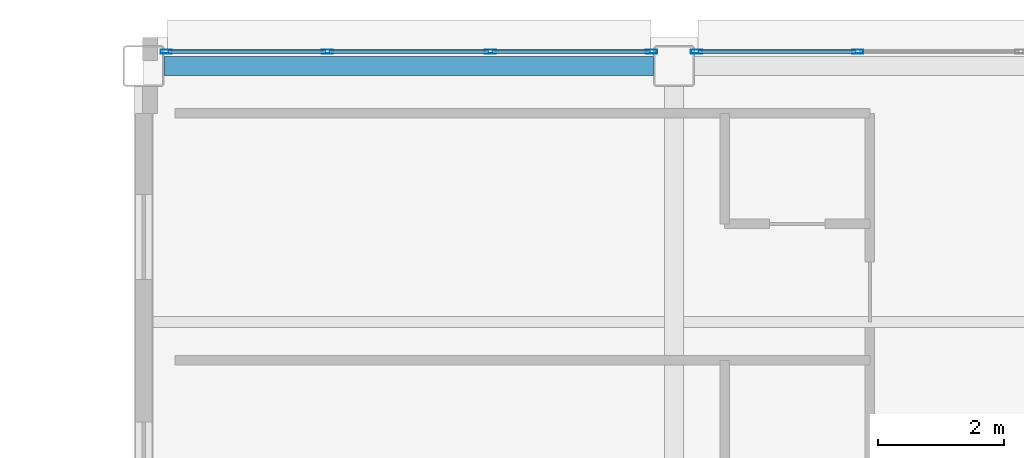
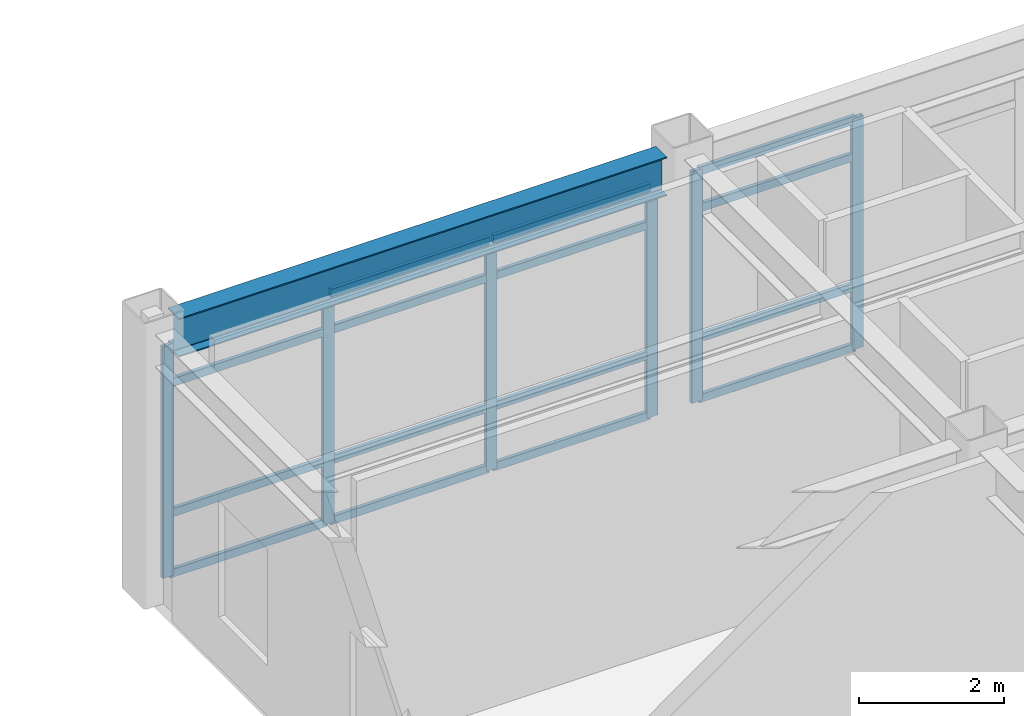
# One storey, part 61 of 93: 22 members, 1 beam, 2 elements without a shape of their own.
"""IFC4 building model written with IfcOpenShell, lengths in metres."""

from ifc_helpers import new_model, si_unit, direction, frame, origin, origin_2d, place, context, subcontext, project, spatial, hollow_rectangle, i_section, extrude, material, layer, layer_set, material_profile, profile_set, type_object, element, aggregate, save


model = new_model("IFC4")

# Units and contexts
model_context = context("Model", 3, precision=1e-05, world=origin(), true_north=direction((0.0, 1.0)))
body_context = subcontext(model_context, "Body", "Model", "MODEL_VIEW")
ifc_project = project(units=[si_unit("LENGTHUNIT", "METRE"), si_unit("AREAUNIT", "SQUARE_METRE"), si_unit("VOLUMEUNIT", "CUBIC_METRE"), si_unit("PLANEANGLEUNIT", "RADIAN"), si_unit("MASSUNIT", "GRAM", prefix="KILO")], contexts=[model_context])

# Site, building, storey
site_placement = place(None, origin())
site = spatial("IfcSite", under=ifc_project, at=site_placement, CompositionType="ELEMENT")
building_placement = place(site_placement, origin())
building = spatial("IfcBuilding", under=site, at=building_placement, Name="Kazehara Bluff Congress Hotel", CompositionType="ELEMENT")
storey_placement = place(building_placement, frame((0.0, 0.0, 15.0)))
storey = spatial("IfcBuildingStorey", under=building, at=storey_placement, Name="L03", CompositionType="ELEMENT", Elevation=15.0)

# Curtain wall, members
ifc_material_1 = material(Name="Anodised aluminium", Category="aluminium")
ifc_layer = layer(ifc_material_1, 0.159912109375)
ifc_layer_set = layer_set([ifc_layer], Name="Anodised aluminium")
curtain_wall_type = type_object("IfcCurtainWallType", Name="TP-CW-24", PredefinedType="NOTDEFINED", material=ifc_layer_set)
curtain_wall_1_placement = place(storey_placement, origin())
curtain_wall_1 = element("IfcCurtainWall", 1, at=curtain_wall_1_placement, inside=storey, type_object=curtain_wall_type, Name="L03 curtain wall CW-24 CW-ENC-V5-L03-14790-11378", PredefinedType="NOTDEFINED")
ifc_material_2 = material(Name="Anodised aluminium", Category="aluminium")
ifc_material_profile_1 = material_profile(ifc_material_2, hollow_rectangle(XDim=0.06494140625, YDim=0.179931640625, WallThickness=0.00390625, InnerFilletRadius=0.00390625, OuterFilletRadius=0.008056640625, at=origin_2d()))
ifc_profile_set_1 = profile_set([ifc_material_profile_1], Name="Anodised aluminium")
member_type_1 = type_object("IfcMemberType", Name="TP-CWM-02", PredefinedType="MULLION", material=ifc_profile_set_1)
member_1_placement = place(storey_placement, frame((144.0576171875, 113.780029296875, 0.0), z_axis=(0.0, 0.0, 1.0), x_axis=(0.0, 1.0, 0.0)))
member_1 = element("IfcMember", 2, at=member_1_placement, type_object=member_type_1, Name="CW-24 mullion 1", PredefinedType="MULLION", context=body_context, shape_type="SweptSolid", body=[
    extrude(hollow_rectangle(XDim=0.06494140625, YDim=0.179931640625, WallThickness=0.00390625, InnerFilletRadius=0.00390625, OuterFilletRadius=0.008056640625, at=origin_2d()), origin(), (0.0, 0.0, 1.0), 3.885009765625),
])
member_2_placement = place(storey_placement, frame((146.6083984375, 113.780029296875, 0.0), z_axis=(0.0, 0.0, 1.0), x_axis=(0.0, 1.0, 0.0)))
member_2 = element("IfcMember", 3, at=member_2_placement, type_object=member_type_1, Name="CW-24 mullion 2", PredefinedType="MULLION", context=body_context, shape_type="SweptSolid", body=[
    extrude(hollow_rectangle(XDim=0.06494140625, YDim=0.179931640625, WallThickness=0.00390625, InnerFilletRadius=0.00390625, OuterFilletRadius=0.008056640625, at=origin_2d()), origin(), (0.0, 0.0, 1.0), 3.885009765625),
])
member_3_placement = place(storey_placement, frame((149.191650390625, 113.780029296875, 0.0), z_axis=(0.0, 0.0, 1.0), x_axis=(0.0, 1.0, 0.0)))
member_3 = element("IfcMember", 4, at=member_3_placement, type_object=member_type_1, Name="CW-24 mullion 3", PredefinedType="MULLION", context=body_context, shape_type="SweptSolid", body=[
    extrude(hollow_rectangle(XDim=0.06494140625, YDim=0.179931640625, WallThickness=0.00390625, InnerFilletRadius=0.00390625, OuterFilletRadius=0.008056640625, at=origin_2d()), origin(), (0.0, 0.0, 1.0), 3.885009765625),
])
member_4_placement = place(storey_placement, frame((151.742431640625, 113.780029296875, 0.0), z_axis=(0.0, 0.0, 1.0), x_axis=(0.0, 1.0, 0.0)))
member_4 = element("IfcMember", 5, at=member_4_placement, type_object=member_type_1, Name="CW-24 mullion 4", PredefinedType="MULLION", context=body_context, shape_type="SweptSolid", body=[
    extrude(hollow_rectangle(XDim=0.06494140625, YDim=0.179931640625, WallThickness=0.00390625, InnerFilletRadius=0.00390625, OuterFilletRadius=0.008056640625, at=origin_2d()), origin(), (0.0, 0.0, 1.0), 3.885009765625),
])

curtain_wall_2_placement = place(storey_placement, origin())
curtain_wall_2 = element("IfcCurtainWall", 6, at=curtain_wall_2_placement, inside=storey, type_object=curtain_wall_type, Name="L03 curtain wall CW-24 CW-ENC-V5-L03-15630-11378", PredefinedType="NOTDEFINED")
member_5_placement = place(storey_placement, frame((152.45751953125, 113.780029296875, 0.0), z_axis=(0.0, 0.0, 1.0), x_axis=(0.0, 1.0, 0.0)))
member_5 = element("IfcMember", 7, at=member_5_placement, type_object=member_type_1, Name="CW-24 mullion 1", PredefinedType="MULLION", context=body_context, shape_type="SweptSolid", body=[
    extrude(hollow_rectangle(XDim=0.06494140625, YDim=0.179931640625, WallThickness=0.00390625, InnerFilletRadius=0.00390625, OuterFilletRadius=0.008056640625, at=origin_2d()), origin(), (0.0, 0.0, 1.0), 3.885009765625),
])
member_6_placement = place(storey_placement, frame((155.00830078125, 113.780029296875, 0.0), z_axis=(0.0, 0.0, 1.0), x_axis=(0.0, 1.0, 0.0)))
member_6 = element("IfcMember", 8, at=member_6_placement, type_object=member_type_1, Name="CW-24 mullion 2", PredefinedType="MULLION", context=body_context, shape_type="SweptSolid", body=[
    extrude(hollow_rectangle(XDim=0.06494140625, YDim=0.179931640625, WallThickness=0.00390625, InnerFilletRadius=0.00390625, OuterFilletRadius=0.008056640625, at=origin_2d()), origin(), (0.0, 0.0, 1.0), 3.885009765625),
])

# Member
ifc_material_3 = material(Name="Anodised aluminium", Category="aluminium")
ifc_material_profile_2 = material_profile(ifc_material_3, hollow_rectangle(XDim=0.06494140625, YDim=0.139892578125, WallThickness=0.00390625, InnerFilletRadius=0.00390625, OuterFilletRadius=0.008056640625, at=origin_2d()))
ifc_profile_set_2 = profile_set([ifc_material_profile_2], Name="Anodised aluminium")
member_type_2 = type_object("IfcMemberType", Name="TP-CWT-02", PredefinedType="USERDEFINED", material=ifc_profile_set_2)
member_7_placement = place(storey_placement, frame((144.090087890625, 113.780029296875, 0.032470703125), z_axis=(1.0, 0.0, 0.0), x_axis=(0.0, 1.0, 0.0)))
member_7 = element("IfcMember", 9, at=member_7_placement, type_object=member_type_2, Name="CW-24 transom 1.1", ObjectType="TRANSOM", PredefinedType="USERDEFINED", context=body_context, shape_type="SweptSolid", body=[
    extrude(hollow_rectangle(XDim=0.06494140625, YDim=0.139892578125, WallThickness=0.00390625, InnerFilletRadius=0.00390625, OuterFilletRadius=0.008056640625, at=origin_2d()), origin(), (0.0, 0.0, 1.0), 2.48583984375),
])

member_8_placement = place(storey_placement, frame((144.090087890625, 113.780029296875, 1.050048828125), z_axis=(1.0, 0.0, 0.0), x_axis=(0.0, 1.0, 0.0)))
member_8 = element("IfcMember", 10, at=member_8_placement, type_object=member_type_2, Name="CW-24 transom 1.2", ObjectType="TRANSOM", PredefinedType="USERDEFINED", context=body_context, shape_type="SweptSolid", body=[
    extrude(hollow_rectangle(XDim=0.06494140625, YDim=0.139892578125, WallThickness=0.00390625, InnerFilletRadius=0.00390625, OuterFilletRadius=0.008056640625, at=origin_2d()), origin(), (0.0, 0.0, 1.0), 2.48583984375),
])

member_9_placement = place(storey_placement, frame((144.090087890625, 113.780029296875, 3.235107421875), z_axis=(1.0, 0.0, 0.0), x_axis=(0.0, 1.0, 0.0)))
member_9 = element("IfcMember", 11, at=member_9_placement, type_object=member_type_2, Name="CW-24 transom 1.3", ObjectType="TRANSOM", PredefinedType="USERDEFINED", context=body_context, shape_type="SweptSolid", body=[
    extrude(hollow_rectangle(XDim=0.06494140625, YDim=0.139892578125, WallThickness=0.00390625, InnerFilletRadius=0.00390625, OuterFilletRadius=0.008056640625, at=origin_2d()), origin(), (0.0, 0.0, 1.0), 2.48583984375),
])

member_10_placement = place(storey_placement, frame((144.090087890625, 113.780029296875, 3.8525390625), z_axis=(1.0, 0.0, 0.0), x_axis=(0.0, 1.0, 0.0)))
member_10 = element("IfcMember", 12, at=member_10_placement, type_object=member_type_2, Name="CW-24 transom 1.4", ObjectType="TRANSOM", PredefinedType="USERDEFINED", context=body_context, shape_type="SweptSolid", body=[
    extrude(hollow_rectangle(XDim=0.06494140625, YDim=0.139892578125, WallThickness=0.00390625, InnerFilletRadius=0.00390625, OuterFilletRadius=0.008056640625, at=origin_2d()), origin(), (0.0, 0.0, 1.0), 2.48583984375),
])

member_11_placement = place(storey_placement, frame((146.640869140625, 113.780029296875, 0.032470703125), z_axis=(1.0, 0.0, 0.0), x_axis=(0.0, 1.0, 0.0)))
member_11 = element("IfcMember", 13, at=member_11_placement, type_object=member_type_2, Name="CW-24 transom 2.1", ObjectType="TRANSOM", PredefinedType="USERDEFINED", context=body_context, shape_type="SweptSolid", body=[
    extrude(hollow_rectangle(XDim=0.06494140625, YDim=0.139892578125, WallThickness=0.00390625, InnerFilletRadius=0.00390625, OuterFilletRadius=0.008056640625, at=origin_2d()), origin(), (0.0, 0.0, 1.0), 2.518310546875),
])

member_12_placement = place(storey_placement, frame((146.640869140625, 113.780029296875, 1.050048828125), z_axis=(1.0, 0.0, 0.0), x_axis=(0.0, 1.0, 0.0)))
member_12 = element("IfcMember", 14, at=member_12_placement, type_object=member_type_2, Name="CW-24 transom 2.2", ObjectType="TRANSOM", PredefinedType="USERDEFINED", context=body_context, shape_type="SweptSolid", body=[
    extrude(hollow_rectangle(XDim=0.06494140625, YDim=0.139892578125, WallThickness=0.00390625, InnerFilletRadius=0.00390625, OuterFilletRadius=0.008056640625, at=origin_2d()), origin(), (0.0, 0.0, 1.0), 2.518310546875),
])

member_13_placement = place(storey_placement, frame((146.640869140625, 113.780029296875, 3.235107421875), z_axis=(1.0, 0.0, 0.0), x_axis=(0.0, 1.0, 0.0)))
member_13 = element("IfcMember", 15, at=member_13_placement, type_object=member_type_2, Name="CW-24 transom 2.3", ObjectType="TRANSOM", PredefinedType="USERDEFINED", context=body_context, shape_type="SweptSolid", body=[
    extrude(hollow_rectangle(XDim=0.06494140625, YDim=0.139892578125, WallThickness=0.00390625, InnerFilletRadius=0.00390625, OuterFilletRadius=0.008056640625, at=origin_2d()), origin(), (0.0, 0.0, 1.0), 2.518310546875),
])

member_14_placement = place(storey_placement, frame((146.640869140625, 113.780029296875, 3.8525390625), z_axis=(1.0, 0.0, 0.0), x_axis=(0.0, 1.0, 0.0)))
member_14 = element("IfcMember", 16, at=member_14_placement, type_object=member_type_2, Name="CW-24 transom 2.4", ObjectType="TRANSOM", PredefinedType="USERDEFINED", context=body_context, shape_type="SweptSolid", body=[
    extrude(hollow_rectangle(XDim=0.06494140625, YDim=0.139892578125, WallThickness=0.00390625, InnerFilletRadius=0.00390625, OuterFilletRadius=0.008056640625, at=origin_2d()), origin(), (0.0, 0.0, 1.0), 2.518310546875),
])

member_15_placement = place(storey_placement, frame((149.22412109375, 113.780029296875, 0.032470703125), z_axis=(1.0, 0.0, 0.0), x_axis=(0.0, 1.0, 0.0)))
member_15 = element("IfcMember", 17, at=member_15_placement, type_object=member_type_2, Name="CW-24 transom 3.1", ObjectType="TRANSOM", PredefinedType="USERDEFINED", context=body_context, shape_type="SweptSolid", body=[
    extrude(hollow_rectangle(XDim=0.06494140625, YDim=0.139892578125, WallThickness=0.00390625, InnerFilletRadius=0.00390625, OuterFilletRadius=0.008056640625, at=origin_2d()), origin(), (0.0, 0.0, 1.0), 2.48583984375),
])

member_16_placement = place(storey_placement, frame((149.22412109375, 113.780029296875, 1.050048828125), z_axis=(1.0, 0.0, 0.0), x_axis=(0.0, 1.0, 0.0)))
member_16 = element("IfcMember", 18, at=member_16_placement, type_object=member_type_2, Name="CW-24 transom 3.2", ObjectType="TRANSOM", PredefinedType="USERDEFINED", context=body_context, shape_type="SweptSolid", body=[
    extrude(hollow_rectangle(XDim=0.06494140625, YDim=0.139892578125, WallThickness=0.00390625, InnerFilletRadius=0.00390625, OuterFilletRadius=0.008056640625, at=origin_2d()), origin(), (0.0, 0.0, 1.0), 2.48583984375),
])

member_17_placement = place(storey_placement, frame((149.22412109375, 113.780029296875, 3.235107421875), z_axis=(1.0, 0.0, 0.0), x_axis=(0.0, 1.0, 0.0)))
member_17 = element("IfcMember", 19, at=member_17_placement, type_object=member_type_2, Name="CW-24 transom 3.3", ObjectType="TRANSOM", PredefinedType="USERDEFINED", context=body_context, shape_type="SweptSolid", body=[
    extrude(hollow_rectangle(XDim=0.06494140625, YDim=0.139892578125, WallThickness=0.00390625, InnerFilletRadius=0.00390625, OuterFilletRadius=0.008056640625, at=origin_2d()), origin(), (0.0, 0.0, 1.0), 2.48583984375),
])

member_18_placement = place(storey_placement, frame((149.22412109375, 113.780029296875, 3.8525390625), z_axis=(1.0, 0.0, 0.0), x_axis=(0.0, 1.0, 0.0)))
member_18 = element("IfcMember", 20, at=member_18_placement, type_object=member_type_2, Name="CW-24 transom 3.4", ObjectType="TRANSOM", PredefinedType="USERDEFINED", context=body_context, shape_type="SweptSolid", body=[
    extrude(hollow_rectangle(XDim=0.06494140625, YDim=0.139892578125, WallThickness=0.00390625, InnerFilletRadius=0.00390625, OuterFilletRadius=0.008056640625, at=origin_2d()), origin(), (0.0, 0.0, 1.0), 2.48583984375),
])

aggregate(curtain_wall_1, [member_1, member_2, member_3, member_4, member_7, member_8, member_9, member_10, member_11, member_12, member_13, member_14, member_15, member_16, member_17, member_18])

member_19_placement = place(storey_placement, frame((152.489990234375, 113.780029296875, 0.032470703125), z_axis=(1.0, 0.0, 0.0), x_axis=(0.0, 1.0, 0.0)))
member_19 = element("IfcMember", 21, at=member_19_placement, type_object=member_type_2, Name="CW-24 transom 1.1", ObjectType="TRANSOM", PredefinedType="USERDEFINED", context=body_context, shape_type="SweptSolid", body=[
    extrude(hollow_rectangle(XDim=0.06494140625, YDim=0.139892578125, WallThickness=0.00390625, InnerFilletRadius=0.00390625, OuterFilletRadius=0.008056640625, at=origin_2d()), origin(), (0.0, 0.0, 1.0), 2.48583984375),
])

member_20_placement = place(storey_placement, frame((152.489990234375, 113.780029296875, 1.050048828125), z_axis=(1.0, 0.0, 0.0), x_axis=(0.0, 1.0, 0.0)))
member_20 = element("IfcMember", 22, at=member_20_placement, type_object=member_type_2, Name="CW-24 transom 1.2", ObjectType="TRANSOM", PredefinedType="USERDEFINED", context=body_context, shape_type="SweptSolid", body=[
    extrude(hollow_rectangle(XDim=0.06494140625, YDim=0.139892578125, WallThickness=0.00390625, InnerFilletRadius=0.00390625, OuterFilletRadius=0.008056640625, at=origin_2d()), origin(), (0.0, 0.0, 1.0), 2.48583984375),
])

member_21_placement = place(storey_placement, frame((152.489990234375, 113.780029296875, 3.235107421875), z_axis=(1.0, 0.0, 0.0), x_axis=(0.0, 1.0, 0.0)))
member_21 = element("IfcMember", 23, at=member_21_placement, type_object=member_type_2, Name="CW-24 transom 1.3", ObjectType="TRANSOM", PredefinedType="USERDEFINED", context=body_context, shape_type="SweptSolid", body=[
    extrude(hollow_rectangle(XDim=0.06494140625, YDim=0.139892578125, WallThickness=0.00390625, InnerFilletRadius=0.00390625, OuterFilletRadius=0.008056640625, at=origin_2d()), origin(), (0.0, 0.0, 1.0), 2.48583984375),
])

member_22_placement = place(storey_placement, frame((152.489990234375, 113.780029296875, 3.8525390625), z_axis=(1.0, 0.0, 0.0), x_axis=(0.0, 1.0, 0.0)))
member_22 = element("IfcMember", 24, at=member_22_placement, type_object=member_type_2, Name="CW-24 transom 1.4", ObjectType="TRANSOM", PredefinedType="USERDEFINED", context=body_context, shape_type="SweptSolid", body=[
    extrude(hollow_rectangle(XDim=0.06494140625, YDim=0.139892578125, WallThickness=0.00390625, InnerFilletRadius=0.00390625, OuterFilletRadius=0.008056640625, at=origin_2d()), origin(), (0.0, 0.0, 1.0), 2.48583984375),
])

aggregate(curtain_wall_2, [member_5, member_6, member_19, member_20, member_21, member_22])

# Beam
ifc_material_4 = material(Name="Steel SN490B", Category="steel")
ifc_material_profile_3 = material_profile(ifc_material_4, i_section(OverallWidth=0.300048828125, OverallDepth=0.64990234375, WebThickness=0.011962890625, FlangeThickness=0.02001953125, FilletRadius=0.012939453125, at=origin_2d()))
ifc_profile_set_3 = profile_set([ifc_material_profile_3], Name="Steel SN490B")
beam_type = type_object("IfcBeamType", Name="TP-G-03", PredefinedType="BEAM", material=ifc_profile_set_3)
beam_placement = place(storey_placement, frame((144.02490234375, 113.550048828125, 4.235107421875), z_axis=(1.0, 0.0, 0.0), x_axis=(0.0, 1.0, 0.0)))
element("IfcBeam", 25, at=beam_placement, inside=storey, type_object=beam_type, Name="L03 girder G-03 196", PredefinedType="BEAM", context=body_context, shape_type="SweptSolid", body=[
    extrude(i_section(OverallWidth=0.300048828125, OverallDepth=0.64990234375, WebThickness=0.011962890625, FlangeThickness=0.02001953125, FilletRadius=0.012939453125, at=origin_2d()), origin(), (0.0, 0.0, 1.0), 7.75),
])

save(model, "model.ifc")
